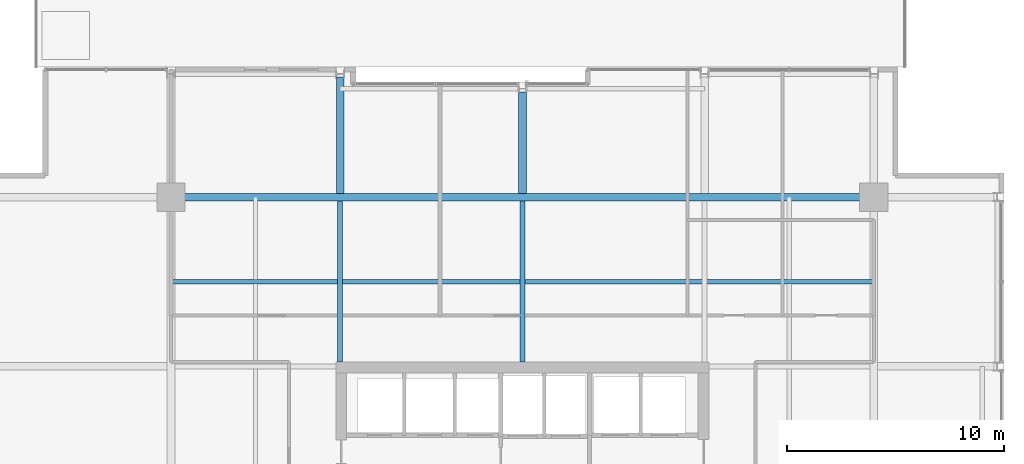
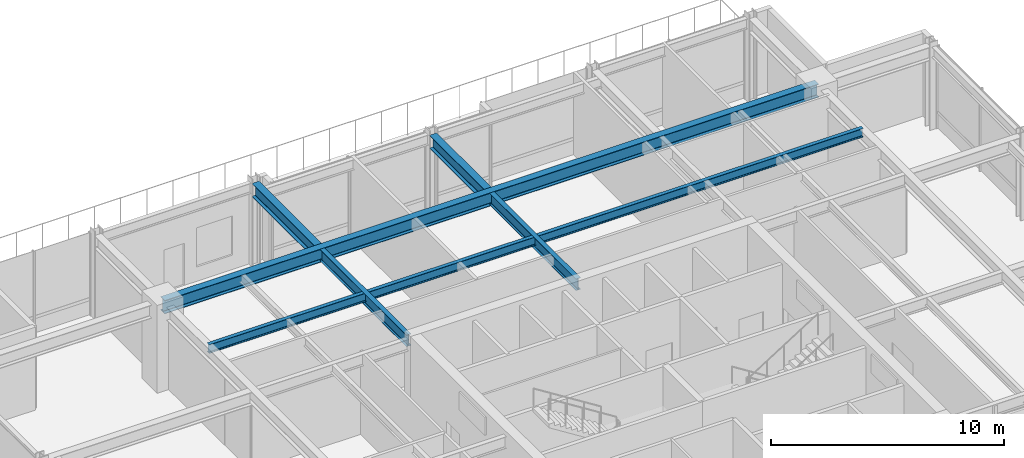
# One storey, part 20 of 32: 6 beams.
"""IFC4 building model written with IfcOpenShell, lengths in metres."""

from ifc_helpers import new_model, si_unit, direction, frame, origin, origin_2d, place, context, subcontext, project, spatial, i_section, extrude, material, material_profile, profile_set, type_object, element, save


model = new_model("IFC4")

# Units and contexts
model_context = context("Model", 3, precision=1e-05, world=origin(), true_north=direction((0.0, 1.0)))
body_context = subcontext(model_context, "Body", "Model", "MODEL_VIEW")
ifc_project = project(units=[si_unit("LENGTHUNIT", "METRE"), si_unit("AREAUNIT", "SQUARE_METRE"), si_unit("VOLUMEUNIT", "CUBIC_METRE"), si_unit("PLANEANGLEUNIT", "RADIAN"), si_unit("MASSUNIT", "GRAM", prefix="KILO")], contexts=[model_context])

# Site, building, storey
site_placement = place(None, origin())
site = spatial("IfcSite", under=ifc_project, at=site_placement, CompositionType="ELEMENT")
building_placement = place(site_placement, origin())
building = spatial("IfcBuilding", under=site, at=building_placement, Name="Drelvath Grand Hotel", CompositionType="ELEMENT")
storey_placement = place(building_placement, frame((0.0, 0.0, 145.800048828125)))
storey = spatial("IfcBuildingStorey", under=building, at=storey_placement, Name="L37", CompositionType="ELEMENT", Elevation=145.800048828125)

# Beams
ifc_material = material(Name="Steel ASTM A992 Gr 50", Category="steel")
ifc_material_profile_1 = material_profile(ifc_material, i_section(OverallWidth=0.19140625, OverallDepth=0.4599609375, WebThickness=0.010009765625, FlangeThickness=0.01611328125, FilletRadius=0.01611328125, at=origin_2d()), Name="W18X55")
ifc_profile_set_1 = profile_set([ifc_material_profile_1], Name="Steel ASTM A992 Gr 50")
beam_type_1 = type_object("IfcBeamType", Name="Composite Floor Joist W18X55", PredefinedType="JOIST", material=ifc_profile_set_1)
beam_1_placement = place(storey_placement, frame((-16.199951171875, 39.300048828125, 4.10986328125), z_axis=(1.0, 0.0, 0.0), x_axis=(0.0, 1.0, 0.0)))
element("IfcBeam", 1, at=beam_1_placement, inside=storey, type_object=beam_type_1, Name="L37 Floor Joist J2", PredefinedType="JOIST", context=body_context, shape_type="SweptSolid", body=[
    extrude(i_section(OverallWidth=0.19140625, OverallDepth=0.4599609375, WebThickness=0.010009765625, FlangeThickness=0.01611328125, FilletRadius=0.01611328125, at=origin_2d()), origin(), (0.0, 0.0, 1.0), 32.39990234375),
])
ifc_material_profile_2 = material_profile(ifc_material, i_section(OverallWidth=0.228271484375, OverallDepth=0.607666015625, WebThickness=0.01123046875, FlangeThickness=0.017333984375, FilletRadius=0.02001953125, at=origin_2d()), Name="W24X76")
ifc_profile_set_2 = profile_set([ifc_material_profile_2], Name="Steel ASTM A992 Gr 50")
beam_type_2 = type_object("IfcBeamType", Name="Primary Floor Girder W24X76", PredefinedType="BEAM", material=ifc_profile_set_2)
for number, where, z_axis, x_axis, name in (
    (2, (-8.39990234375, 35.60009765625, 4.0361328125), (0.0, 1.0, 0.0), (-1.0, 0.0, 0.0), "L37 North Core Tie 4"),
    (3, (0.0, 35.60009765625, 4.0361328125), (0.0, 1.0, 0.0), (-1.0, 0.0, 0.0), "L37 North Core Tie 5"),
):
    element("IfcBeam", number, at=place(storey_placement, frame(where, z_axis=z_axis, x_axis=x_axis)), inside=storey, type_object=beam_type_2, Name=name, PredefinedType="BEAM", context=body_context, shape_type="SweptSolid", body=[
        extrude(i_section(OverallWidth=0.228271484375, OverallDepth=0.607666015625, WebThickness=0.01123046875, FlangeThickness=0.017333984375, FilletRadius=0.02001953125, at=origin_2d()), origin(), (0.0, 0.0, 1.0), 7.422607421875),
    ])
ifc_material_profile_3 = material_profile(ifc_material, i_section(OverallWidth=0.354736328125, OverallDepth=0.695556640625, WebThickness=0.015380859375, FlangeThickness=0.025146484375, FilletRadius=0.02392578125, at=origin_2d()), Name="W27X146")
ifc_profile_set_3 = profile_set([ifc_material_profile_3], Name="Steel ASTM A992 Gr 50")
beam_type_3 = type_object("IfcBeamType", Name="Primary Floor Girder W27X146", PredefinedType="BEAM", material=ifc_profile_set_3)
beam_2_placement = place(storey_placement, frame((-16.199951171875, 43.199951171875, 3.9921875), z_axis=(1.0, 0.0, 0.0), x_axis=(0.0, 1.0, 0.0)))
element("IfcBeam", 4, at=beam_2_placement, inside=storey, type_object=beam_type_3, Name="L37 Mega Ring Girder North", PredefinedType="BEAM", context=body_context, shape_type="SweptSolid", body=[
    extrude(i_section(OverallWidth=0.354736328125, OverallDepth=0.695556640625, WebThickness=0.015380859375, FlangeThickness=0.025146484375, FilletRadius=0.02392578125, at=origin_2d()), origin(), (0.0, 0.0, 1.0), 32.39990234375),
])
beam_3_placement = place(storey_placement, frame((-8.39990234375, 43.37744140625, 3.9921875), z_axis=(0.0, 1.0, 0.0), x_axis=(-1.0, 0.0, 0.0)))
element("IfcBeam", 5, at=beam_3_placement, inside=storey, type_object=beam_type_3, Name="L37 North Wing Girder 4", PredefinedType="BEAM", context=body_context, shape_type="SweptSolid", body=[
    extrude(i_section(OverallWidth=0.354736328125, OverallDepth=0.695556640625, WebThickness=0.015380859375, FlangeThickness=0.025146484375, FilletRadius=0.02392578125, at=origin_2d()), origin(), (0.0, 0.0, 1.0), 5.362548828125),
])
beam_4_placement = place(storey_placement, frame((0.0, 43.37744140625, 3.9921875), z_axis=(0.0, 1.0, 0.0), x_axis=(-1.0, 0.0, 0.0)))
element("IfcBeam", 6, at=beam_4_placement, inside=storey, type_object=beam_type_3, Name="L37 North Wing Girder 5", PredefinedType="BEAM", context=body_context, shape_type="SweptSolid", body=[
    extrude(i_section(OverallWidth=0.354736328125, OverallDepth=0.695556640625, WebThickness=0.015380859375, FlangeThickness=0.025146484375, FilletRadius=0.02392578125, at=origin_2d()), origin(), (0.0, 0.0, 1.0), 4.6826171875),
])

save(model, "model.ifc")
